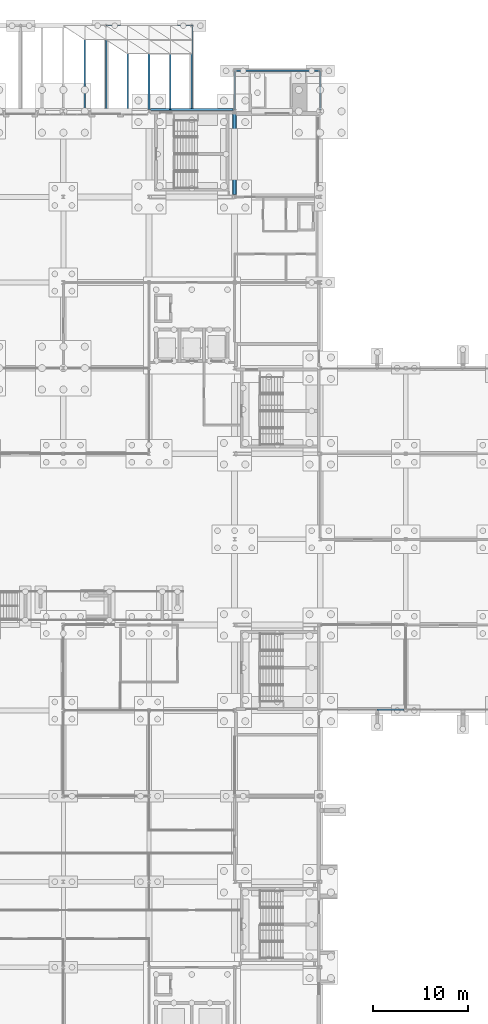
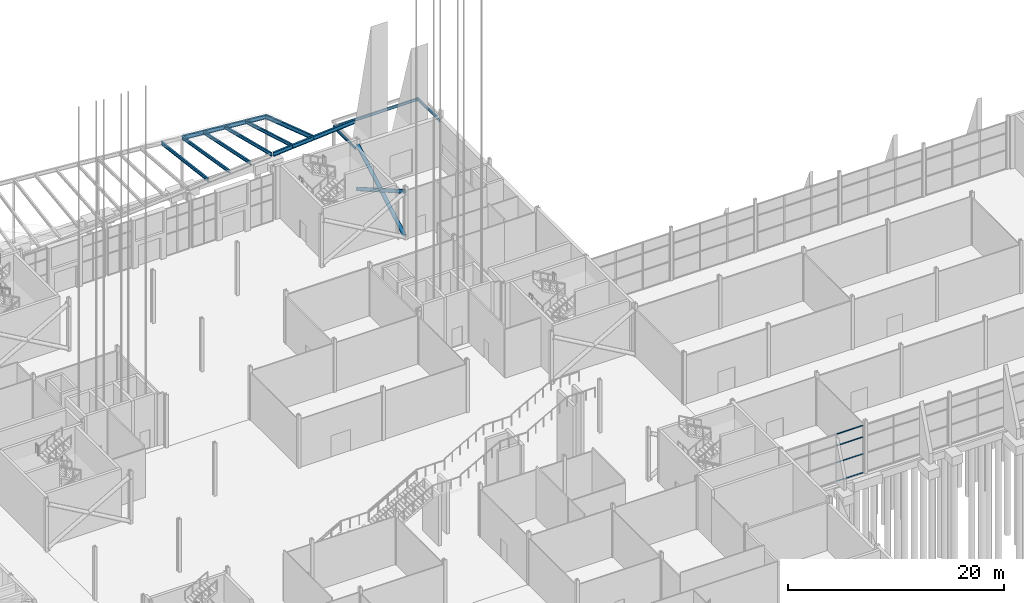
# One storey, part 77 of 139: 11 beams, 6 members, 1 element without a shape of its own.
"""IFC4 building model written with IfcOpenShell, lengths in metres."""

from ifc_helpers import new_model, si_unit, direction, frame, origin, origin_2d, place, context, subcontext, project, spatial, hollow_rectangle, hollow_circle, i_section, extrude, material, layer, layer_set, material_profile, profile_set, type_object, element, aggregate, save


model = new_model("IFC4")

# Units and contexts
model_context = context("Model", 3, precision=1e-05, world=origin(), true_north=direction((0.0, 1.0)))
body_context = subcontext(model_context, "Body", "Model", "MODEL_VIEW")
ifc_project = project(units=[si_unit("LENGTHUNIT", "METRE"), si_unit("AREAUNIT", "SQUARE_METRE"), si_unit("VOLUMEUNIT", "CUBIC_METRE"), si_unit("PLANEANGLEUNIT", "RADIAN"), si_unit("MASSUNIT", "GRAM", prefix="KILO")], contexts=[model_context])

# Site, building, storey
site_placement = place(None, origin())
site = spatial("IfcSite", under=ifc_project, at=site_placement, CompositionType="ELEMENT")
building_placement = place(site_placement, origin())
building = spatial("IfcBuilding", under=site, at=building_placement, Name="Shorebreak Coast Museum", CompositionType="ELEMENT")
storey_placement = place(building_placement, origin())
storey = spatial("IfcBuildingStorey", under=building, at=storey_placement, Name="L00", CompositionType="ELEMENT", Elevation=0.0)

# Beams
ifc_material_1 = material(Name="Steel Grade 300", Category="steel")
ifc_material_profile_1 = material_profile(ifc_material_1, i_section(OverallWidth=0.14892578125, OverallDepth=0.298095703125, WebThickness=0.005615234375, FlangeThickness=0.008056640625, FilletRadius=0.012939453125, at=origin_2d()), Name="310UB32.0")
ifc_profile_set_1 = profile_set([ifc_material_profile_1], Name="Steel Grade 300")
beam_type_1 = type_object("IfcBeamType", Name="Arcade edge beam 310UB32.0", PredefinedType="BEAM", material=ifc_profile_set_1)
beam_1_placement = place(storey_placement, frame((107.925537109375, 121.25, 4.65087890625), z_axis=(1.0, 0.0, 0.0), x_axis=(0.0, 1.0, 0.0)))
element("IfcBeam", 1, at=beam_1_placement, inside=storey, type_object=beam_type_1, Name="Arcade edge beam north 2", PredefinedType="BEAM", context=body_context, shape_type="SweptSolid", body=[
    extrude(i_section(OverallWidth=0.14892578125, OverallDepth=0.298095703125, WebThickness=0.005615234375, FlangeThickness=0.008056640625, FilletRadius=0.012939453125, at=origin_2d()), origin(), (0.0, 0.0, 1.0), 9.14892578125),
])
ifc_material_2 = material(Name="Steel Grade 300", Category="steel")
ifc_material_profile_2 = material_profile(ifc_material_2, i_section(OverallWidth=0.14892578125, OverallDepth=0.298095703125, WebThickness=0.005615234375, FlangeThickness=0.008056640625, FilletRadius=0.012939453125, at=origin_2d()), Name="310UB32.0")
ifc_profile_set_2 = profile_set([ifc_material_profile_2], Name="Steel Grade 300")
beam_type_2 = type_object("IfcBeamType", Name="Arcade primary beam 310UB32.0", PredefinedType="BEAM", material=ifc_profile_set_2)
for number, where, z_axis, x_axis, name in (
    (2, (108.0, 117.16357421875, 4.65087890625), (0.0, 1.0, 0.0), (-1.0, 0.0, 0.0), "Arcade primary beam north 3"),
    (3, (117.0, 117.16357421875, 4.65087890625), (0.0, 1.0, 0.0), (-1.0, 0.0, 0.0), "Arcade primary beam north 4"),
):
    element("IfcBeam", number, at=place(storey_placement, frame(where, z_axis=z_axis, x_axis=x_axis)), inside=storey, type_object=beam_type_2, Name=name, PredefinedType="BEAM", context=body_context, shape_type="SweptSolid", body=[
        extrude(i_section(OverallWidth=0.14892578125, OverallDepth=0.298095703125, WebThickness=0.005615234375, FlangeThickness=0.008056640625, FilletRadius=0.012939453125, at=origin_2d()), origin(), (0.0, 0.0, 1.0), 4.011962890625),
    ])
ifc_material_3 = material(Name="Steel Grade 300", Category="steel")
ifc_material_profile_3 = material_profile(ifc_material_3, i_section(OverallWidth=0.18994140625, OverallDepth=0.453857421875, WebThickness=0.008544921875, FlangeThickness=0.0126953125, FilletRadius=0.011474609375, at=origin_2d()), Name="460UB67.1")
ifc_profile_set_3 = profile_set([ifc_material_profile_3], Name="Steel Grade 300")
beam_type_3 = type_object("IfcBeamType", Name="Canopy edge beam 460UB67.1", PredefinedType="BEAM", material=ifc_profile_set_3)
beam_2_placement = place(storey_placement, frame((94.5, 126.0, 5.263916015625), z_axis=(0.996453433093, 0.0, -0.084146037794), x_axis=(0.0, 1.0, 0.0)))
element("IfcBeam", 4, at=beam_2_placement, inside=storey, type_object=beam_type_3, Name="Canopy edge beam ENT-N span 4", PredefinedType="BEAM", context=body_context, shape_type="SweptSolid", body=[
    extrude(i_section(OverallWidth=0.18994140625, OverallDepth=0.453857421875, WebThickness=0.008544921875, FlangeThickness=0.0126953125, FilletRadius=0.011474609375, at=origin_2d()), origin(), (0.0, 0.0, 1.0), 9.031982421875),
])
ifc_material_4 = material(Name="Steel Grade 300", Category="steel")
ifc_material_profile_4 = material_profile(ifc_material_4, i_section(OverallWidth=0.1708984375, OverallDepth=0.35205078125, WebThickness=0.0068359375, FlangeThickness=0.009765625, FilletRadius=0.011474609375, at=origin_2d()), Name="360UB44.7")
ifc_profile_set_4 = profile_set([ifc_material_profile_4], Name="Steel Grade 300")
beam_type_4 = type_object("IfcBeamType", Name="Canopy rib 360UB44.7", PredefinedType="BEAM", material=ifc_profile_set_4)
beam_3_placement = place(storey_placement, frame((92.25, 117.20556640625, 6.6083984375), z_axis=(0.0, 0.992277876714, -0.124034734589), x_axis=(-1.0, 0.0, 0.0)))
element("IfcBeam", 5, at=beam_3_placement, inside=storey, type_object=beam_type_4, Name="Canopy rib ENT-N 11", PredefinedType="BEAM", context=body_context, shape_type="SweptSolid", body=[
    extrude(i_section(OverallWidth=0.1708984375, OverallDepth=0.35205078125, WebThickness=0.0068359375, FlangeThickness=0.009765625, FilletRadius=0.011474609375, at=origin_2d()), origin(), (0.0, 0.0, 1.0), 8.77685546875),
])
beam_4_placement = place(storey_placement, frame((94.5, 117.20556640625, 6.78564453125), z_axis=(0.0, 0.986395418484, -0.164390019143), x_axis=(-1.0, 0.0, 0.0)))
element("IfcBeam", 6, at=beam_4_placement, inside=storey, type_object=beam_type_4, Name="Canopy rib ENT-N 12", PredefinedType="BEAM", context=body_context, shape_type="SweptSolid", body=[
    extrude(i_section(OverallWidth=0.1708984375, OverallDepth=0.35205078125, WebThickness=0.0068359375, FlangeThickness=0.009765625, FilletRadius=0.011474609375, at=origin_2d()), origin(), (0.0, 0.0, 1.0), 8.8291015625),
])
beam_5_placement = place(storey_placement, frame((96.75, 117.20556640625, 6.9619140625), z_axis=(0.0, 0.97897859315, -0.203963021538), x_axis=(-1.0, 0.0, 0.0)))
element("IfcBeam", 7, at=beam_5_placement, inside=storey, type_object=beam_type_4, Name="Canopy rib ENT-N 13", PredefinedType="BEAM", context=body_context, shape_type="SweptSolid", body=[
    extrude(i_section(OverallWidth=0.1708984375, OverallDepth=0.35205078125, WebThickness=0.0068359375, FlangeThickness=0.009765625, FilletRadius=0.011474609375, at=origin_2d()), origin(), (0.0, 0.0, 1.0), 8.89599609375),
])
beam_6_placement = place(storey_placement, frame((99.0, 117.16357421875, 7.151123046875), z_axis=(0.0, 0.970142500145, -0.242535625036), x_axis=(-1.0, 0.0, 0.0)))
element("IfcBeam", 8, at=beam_6_placement, inside=storey, type_object=beam_type_4, Name="Canopy rib ENT-N 14", PredefinedType="BEAM", context=body_context, shape_type="SweptSolid", body=[
    extrude(i_section(OverallWidth=0.1708984375, OverallDepth=0.35205078125, WebThickness=0.0068359375, FlangeThickness=0.009765625, FilletRadius=0.011474609375, at=origin_2d()), origin(), (0.0, 0.0, 1.0), 9.020263671875),
])
beam_7_placement = place(storey_placement, frame((101.25, 117.20556640625, 7.316650390625), z_axis=(0.0, 0.959987942747, -0.280041335844), x_axis=(-1.0, 0.0, 0.0)))
element("IfcBeam", 9, at=beam_7_placement, inside=storey, type_object=beam_type_4, Name="Canopy rib ENT-N 15", PredefinedType="BEAM", context=body_context, shape_type="SweptSolid", body=[
    extrude(i_section(OverallWidth=0.1708984375, OverallDepth=0.35205078125, WebThickness=0.0068359375, FlangeThickness=0.009765625, FilletRadius=0.011474609375, at=origin_2d()), origin(), (0.0, 0.0, 1.0), 9.072021484375),
])
ifc_material_5 = material(Name="Steel Grade 300", Category="steel")
ifc_material_profile_5 = material_profile(ifc_material_5, i_section(OverallWidth=0.18994140625, OverallDepth=0.453857421875, WebThickness=0.008544921875, FlangeThickness=0.0126953125, FilletRadius=0.011474609375, at=origin_2d()), Name="460UB67.1")
ifc_profile_set_5 = profile_set([ifc_material_profile_5], Name="Steel Grade 300")
beam_type_5 = type_object("IfcBeamType", Name="Canopy ring beam 460UB67.1", PredefinedType="BEAM", material=ifc_profile_set_5)
beam_8_placement = place(storey_placement, frame((99.155517578125, 117.199951171875, 7.0966796875), z_axis=(0.996956632928, 0.0, 0.077958143002), x_axis=(0.0, 1.0, 0.0)))
element("IfcBeam", 10, at=beam_8_placement, inside=storey, type_object=beam_type_5, Name="Canopy ring beam ENT-N building side 5", PredefinedType="BEAM", context=body_context, shape_type="SweptSolid", body=[
    extrude(i_section(OverallWidth=0.18994140625, OverallDepth=0.453857421875, WebThickness=0.008544921875, FlangeThickness=0.0126953125, FilletRadius=0.011474609375, at=origin_2d()), origin(), (0.0, 0.0, 1.0), 8.715576171875),
])
beam_9_placement = place(storey_placement, frame((103.5, 126.0, 4.50390625), z_axis=(0.0, -0.948683298051, 0.316227766017), x_axis=(1.0, 0.0, 0.0)))
element("IfcBeam", 11, at=beam_9_placement, inside=storey, type_object=beam_type_5, Name="Canopy ring beam ENT-N side 2", PredefinedType="BEAM", context=body_context, shape_type="SweptSolid", body=[
    extrude(i_section(OverallWidth=0.18994140625, OverallDepth=0.453857421875, WebThickness=0.008544921875, FlangeThickness=0.0126953125, FilletRadius=0.011474609375, at=origin_2d()), origin(), (0.0, 0.0, 1.0), 9.276123046875),
])

# Curtain wall, members
ifc_material_6 = material(Name="Aluminium", Category="aluminium")
ifc_layer = layer(ifc_material_6, 0.14990234375)
ifc_layer_set = layer_set([ifc_layer], Name="Aluminium")
curtain_wall_type = type_object("IfcCurtainWallType", Name="Storefront curtain wall", PredefinedType="NOTDEFINED", material=ifc_layer_set)
curtain_wall_placement = place(storey_placement, origin())
curtain_wall = element("IfcCurtainWall", 12, at=curtain_wall_placement, inside=storey, type_object=curtain_wall_type, Name="Storefront L00 S 8", PredefinedType="NOTDEFINED")
ifc_material_7 = material(Name="Aluminium", Category="aluminium")
ifc_material_profile_6 = material_profile(ifc_material_7, hollow_rectangle(XDim=0.14990234375, YDim=0.050048828125, WallThickness=0.00390625, at=origin_2d()), Name="AL 50x150 RHS")
ifc_profile_set_6 = profile_set([ifc_material_profile_6], Name="Aluminium")
member_type_1 = type_object("IfcMemberType", Name="Storefront transom 150 x 50", PredefinedType="USERDEFINED", material=ifc_profile_set_6)
member_1_placement = place(storey_placement, frame((122.97509765625, 54.074951171875, 0.074951171875), z_axis=(1.0, 0.0, 0.0), x_axis=(0.0, 1.0, 0.0)))
member_1 = element("IfcMember", 13, at=member_1_placement, type_object=member_type_1, Name="CW8 transom 3.1", ObjectType="TRANSOM", PredefinedType="USERDEFINED", context=body_context, shape_type="SweptSolid", body=[
    extrude(hollow_rectangle(XDim=0.14990234375, YDim=0.050048828125, WallThickness=0.00390625, at=origin_2d()), origin(), (0.0, 0.0, 1.0), 2.824951171875),
])
member_2_placement = place(storey_placement, frame((122.97509765625, 54.074951171875, 2.187744140625), z_axis=(1.0, 0.0, 0.0), x_axis=(0.0, 1.0, 0.0)))
member_2 = element("IfcMember", 14, at=member_2_placement, type_object=member_type_1, Name="CW8 transom 3.2", ObjectType="TRANSOM", PredefinedType="USERDEFINED", context=body_context, shape_type="SweptSolid", body=[
    extrude(hollow_rectangle(XDim=0.14990234375, YDim=0.050048828125, WallThickness=0.00390625, at=origin_2d()), origin(), (0.0, 0.0, 1.0), 2.824951171875),
])
member_3_placement = place(storey_placement, frame((122.97509765625, 54.074951171875, 4.10205078125), z_axis=(1.0, 0.0, 0.0), x_axis=(0.0, 1.0, 0.0)))
member_3 = element("IfcMember", 15, at=member_3_placement, type_object=member_type_1, Name="CW8 transom 3.3", ObjectType="TRANSOM", PredefinedType="USERDEFINED", context=body_context, shape_type="SweptSolid", body=[
    extrude(hollow_rectangle(XDim=0.14990234375, YDim=0.050048828125, WallThickness=0.00390625, at=origin_2d()), origin(), (0.0, 0.0, 1.0), 2.824951171875),
])
member_4_placement = place(storey_placement, frame((122.97509765625, 54.074951171875, 5.394287109375), z_axis=(1.0, 0.0, 0.0), x_axis=(0.0, 1.0, 0.0)))
member_4 = element("IfcMember", 16, at=member_4_placement, type_object=member_type_1, Name="CW8 transom 3.4", ObjectType="TRANSOM", PredefinedType="USERDEFINED", context=body_context, shape_type="SweptSolid", body=[
    extrude(hollow_rectangle(XDim=0.14990234375, YDim=0.050048828125, WallThickness=0.00390625, at=origin_2d()), origin(), (0.0, 0.0, 1.0), 2.824951171875),
])
aggregate(curtain_wall, [member_1, member_2, member_3, member_4])

# Members
ifc_material_8 = material(Name="Steel Grade C350L0", Category="steel")
ifc_material_profile_7 = material_profile(ifc_material_8, hollow_circle(Radius=0.203125, WallThickness=0.0126953125, at=origin_2d()), Name="406.4x12.7 CHS")
ifc_profile_set_7 = profile_set([ifc_material_profile_7], Name="Steel Grade C350L0")
member_type_2 = type_object("IfcMemberType", Name="X-brace 406.4x12.7 CHS", PredefinedType="BRACE", material=ifc_profile_set_7)
for number, where, z_axis, x_axis, name in (
    (17, (108.0, 108.160400390625, 0.300048828125), (0.0, 0.867504585625, 0.497429184829), (-1.0, 0.0, 0.0), "X-brace bay 12 L00 diagonal 1"),
    (18, (108.0, 116.83642578125, 0.300048828125), (0.0, -0.867504585625, 0.497429184829), (1.0, 0.0, 0.0), "X-brace bay 12 L00 diagonal 2"),
):
    element("IfcMember", number, at=place(storey_placement, frame(where, z_axis=z_axis, x_axis=x_axis)), inside=storey, type_object=member_type_2, Name=name, PredefinedType="BRACE", context=body_context, shape_type="SweptSolid", body=[
        extrude(hollow_circle(Radius=0.203125, WallThickness=0.0126953125, at=origin_2d()), origin(), (0.0, 0.0, 1.0), 10.001220703125),
    ])

save(model, "model.ifc")
